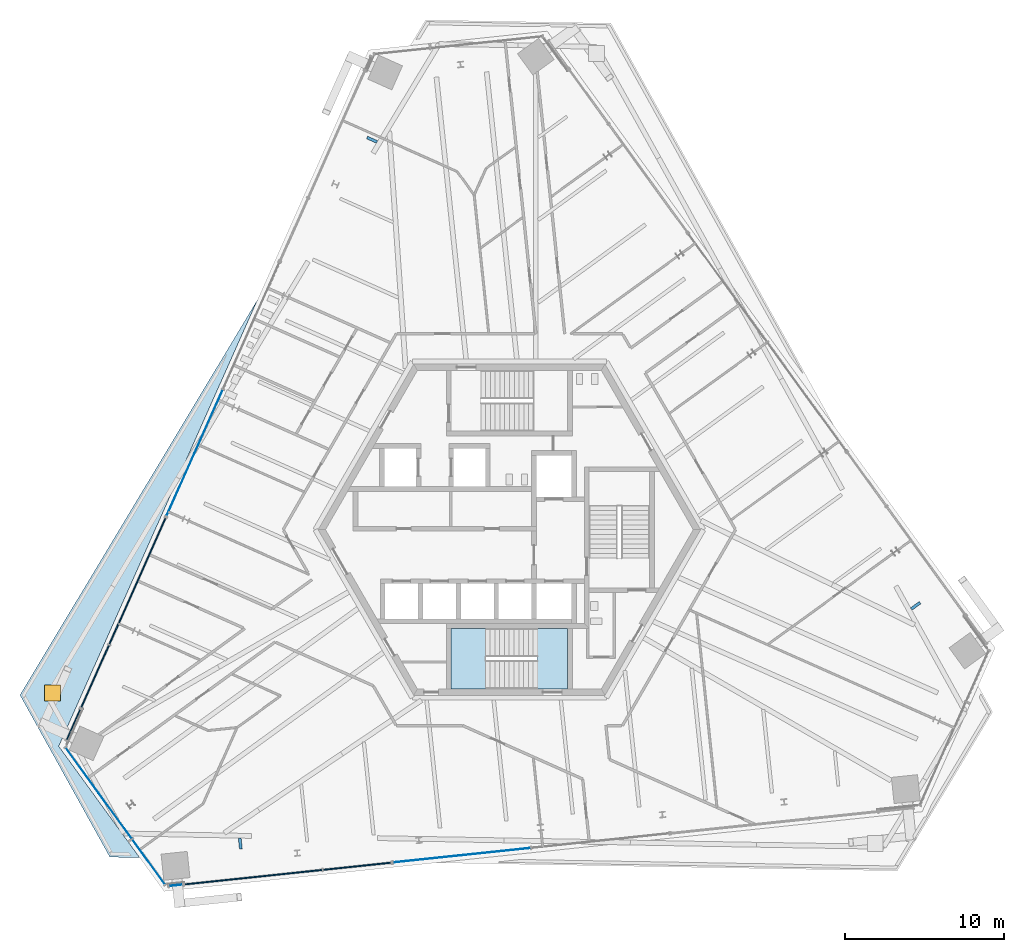
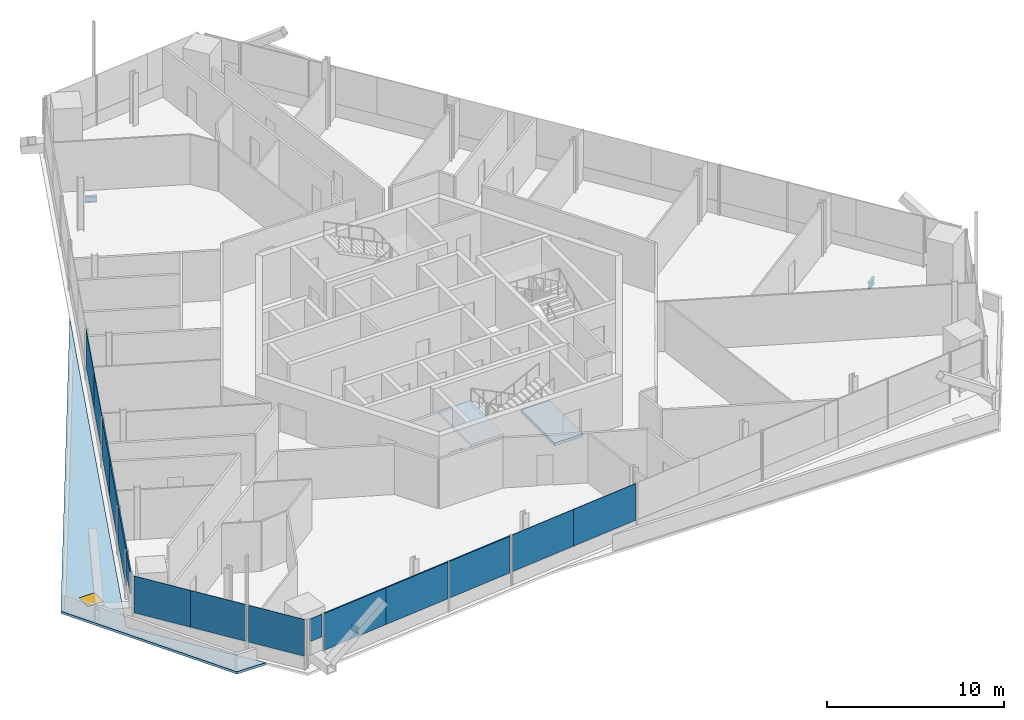
# One storey, part 10 of 21: 15 plates, 3 beams, 3 slabs, 1 door, 1 opening, 8 elements without a shape of their own.
"""IFC4 building model written with IfcOpenShell, lengths in metres."""

from ifc_helpers import new_model, si_unit, direction, frame, origin, origin_2d, place, context, subcontext, project, spatial, polyline, rectangle, i_section, outline, extrude, source, transform, mapped, material, layer, layer_set, material_profile, profile_set, type_object, element, fill, aggregate, save


model = new_model("IFC4")

# Units and contexts
model_context = context("Model", 3, precision=1e-05, world=origin(), true_north=direction((0.0, 1.0)))
body_context = subcontext(model_context, "Body", "Model", "MODEL_VIEW")
ifc_project = project(units=[si_unit("LENGTHUNIT", "METRE"), si_unit("AREAUNIT", "SQUARE_METRE"), si_unit("VOLUMEUNIT", "CUBIC_METRE"), si_unit("PLANEANGLEUNIT", "RADIAN"), si_unit("MASSUNIT", "GRAM", prefix="KILO")], contexts=[model_context])

# Site, building, storey
site_placement = place(None, origin())
site = spatial("IfcSite", under=ifc_project, at=site_placement, CompositionType="ELEMENT")
building_placement = place(site_placement, origin())
building = spatial("IfcBuilding", under=site, at=building_placement, Name="Triune Harvest Tower", CompositionType="ELEMENT")
storey_placement = place(building_placement, frame((0.0, 0.0, 219.699951171875)))
storey = spatial("IfcBuildingStorey", under=building, at=storey_placement, Name="L57", CompositionType="ELEMENT", Elevation=219.699951171875)

# Beams
ifc_material_1 = material(Name="Steel ASTM A992 Gr 50", Category="steel")
ifc_material_profile = material_profile(ifc_material_1, i_section(OverallWidth=0.180908203125, OverallDepth=0.41650390625, WebThickness=0.010986328125, FlangeThickness=0.01806640625, at=origin_2d()), Name="W16x57")
ifc_profile_set = profile_set([ifc_material_profile], Name="Steel ASTM A992 Gr 50")
beam_type = type_object("IfcBeamType", Name="JT-1 Floor joist W16x57", PredefinedType="JOIST", material=ifc_profile_set)
beam_placement = place(storey_placement, frame((25.773681640625, -4.57373046875, -0.3681640625), z_axis=(-0.808966979409, -0.587854085829, 0.0), x_axis=(0.587854085829, -0.808966979409, 0.0)))
element("IfcBeam", 1, at=beam_placement, inside=storey, type_object=beam_type, Name="beam/L57/JT1", PredefinedType="JOIST", context=body_context, shape_type="SweptSolid", body=[
    extrude(i_section(OverallWidth=0.180908203125, OverallDepth=0.41650390625, WebThickness=0.010986328125, FlangeThickness=0.01806640625, at=origin_2d()), origin(), (0.0, 0.0, 1.0), 0.685791015625),
])
shared_shape_1 = source(origin(), body_context, "Body", "SweptSolid", [
    extrude(i_section(OverallWidth=0.180908203125, OverallDepth=0.41650390625, WebThickness=0.010986328125, FlangeThickness=0.01806640625, at=origin_2d()), origin(), (0.0, 0.0, 1.0), 0.683837890625),
])
for number, where, z_axis, x_axis, name in (
    (2, (-8.92578125, 24.607421875, -0.3681640625), (0.913590582128, -0.406635276688, 0.0), (0.406635276688, 0.913590582128, 0.0), "beam/L57/JT13"),
    (3, (-16.84765625, -20.03369140625, -0.3681640625), (-0.104591874359, 0.99451522855, 0.0), (-0.99451522855, -0.104591874359, 0.0), "beam/L57/JT25"),
):
    element("IfcBeam", number, at=place(storey_placement, frame(where, z_axis=z_axis, x_axis=x_axis)), inside=storey, type_object=beam_type, Name=name, PredefinedType="JOIST", context=body_context, shape_type="MappedRepresentation", body=[
        mapped(shared_shape_1, transform((0.0, 0.0, 0.0), scale=1.0)),
    ])

# Slab, opening, door
ifc_material_2 = material(Name="Concrete 40 MPa", Category="concrete")
ifc_layer_1 = layer(ifc_material_2, 0.159912109375)
ifc_layer_set_1 = layer_set([ifc_layer_1], Name="Concrete 40 MPa")
slab_type_1 = type_object("IfcSlabType", Name="WR-1 Wedge roof slab 160", PredefinedType="ROOF", material=ifc_layer_set_1)
slab_1_placement = place(storey_placement, frame((0.0, 0.0, -0.159912109375)))
slab_1 = element("IfcSlab", 4, at=slab_1_placement, inside=storey, type_object=slab_type_1, Name="Wedge roof slab L56 2", PredefinedType="ROOF", context=body_context, shape_type="SweptSolid", body=[
    extrude(outline(polyline([(-25.069091796875, -20.542724609375), (-23.197998046875, -20.575439453125), (-28.27490234375, -13.587646484375), (-15.79638671875, 14.439697265625), (-30.705810546875, -10.373779296875), (-25.069091796875, -20.542724609375)])), origin(), (0.0, 0.0, 1.0), 0.159912109375),
])
opening_placement = place(slab_1_placement, frame((-28.654296875, -10.25, 0.0)))
opening = element("IfcOpeningElement", 5, at=opening_placement, cuts=slab_1, Name="Opening RH-L56.3", PredefinedType="OPENING", context=body_context, shape_type="SweptSolid", body=[
    extrude(rectangle(XDim=1.0, YDim=1.0, at=origin_2d()), origin(), (0.0, 0.0, 1.0), 0.159912109375),
])
ifc_material_3 = material(Name="Aluminium bronze anodised", Category="aluminium")
door_type = type_object("IfcDoorType", Name="RH-1 roof hatch 1000 x 1000", OperationType="SINGLE_SWING_LEFT", PredefinedType="TRAPDOOR", material=ifc_material_3)
door_placement = place(opening_placement, frame((0.0, 0.0, 0.10986328125)))
door = element("IfcDoor", 6, at=door_placement, inside=storey, type_object=door_type, Name="Roof hatch L56.3", OperationType="SINGLE_SWING_LEFT", OverallHeight=1.0, OverallWidth=1.0, PredefinedType="TRAPDOOR", context=body_context, shape_type="SweptSolid", body=[
    extrude(rectangle(XDim=1.0, YDim=1.0, at=origin_2d()), origin(), (0.0, 0.0, 1.0), 0.050048828125),
])
fill(opening, door)

# Stair, slabs
ifc_material_4 = material(Name="Concrete 40 MPa", Category="concrete")
stair_type = type_object("IfcStairType", Name="Exit stair 1800 half turn", PredefinedType="HALF_TURN_STAIR", material=ifc_material_4)
stair_placement = place(storey_placement, origin())
stair = element("IfcStair", 7, at=stair_placement, inside=storey, type_object=stair_type, Name="Exit stair south", PredefinedType="HALF_TURN_STAIR")
ifc_material_5 = material(Name="Concrete 40 MPa", Category="concrete")
ifc_layer_2 = layer(ifc_material_5, 0.199951171875)
ifc_layer_set_2 = layer_set([ifc_layer_2], Name="Concrete 40 MPa")
slab_type_2 = type_object("IfcSlabType", Name="Stair landing 200", PredefinedType="LANDING", material=ifc_layer_set_2)
shared_shape_2 = source(origin(), body_context, "Body", "SweptSolid", [
    extrude(outline(polyline([(-1.510009765625, -6.18994140625), (-3.64990234375, -6.18994140625), (-3.64990234375, -9.989990234375), (-1.510009765625, -9.989990234375), (-1.510009765625, -6.18994140625)])), origin(), (0.0, 0.0, 1.0), 0.199951171875),
])
slab_2_placement = place(storey_placement, frame((0.0, 0.0, 1.60009765625)))
slab_2 = element("IfcSlab", 8, at=slab_2_placement, type_object=slab_type_2, Name="ST-2 landing 2", PredefinedType="LANDING", context=body_context, shape_type="MappedRepresentation", body=[
    mapped(shared_shape_2, transform((0.0, 0.0, 0.0), scale=1.0)),
])
shared_shape_3 = source(origin(), body_context, "Body", "SweptSolid", [
    extrude(outline(polyline([(3.64990234375, -6.18994140625), (1.780029296875, -6.18994140625), (1.780029296875, -9.989990234375), (3.64990234375, -9.989990234375), (3.64990234375, -6.18994140625)])), origin(), (0.0, 0.0, 1.0), 0.199951171875),
])
slab_3_placement = place(storey_placement, frame((0.0, 0.0, -0.199951171875)))
slab_3 = element("IfcSlab", 9, at=slab_3_placement, type_object=slab_type_2, Name="ST-2 landing 1", PredefinedType="LANDING", context=body_context, shape_type="MappedRepresentation", body=[
    mapped(shared_shape_3, transform((0.0, 0.0, 0.0), scale=1.0)),
])
aggregate(stair, [slab_3, slab_2])

# Curtain wall, plate
ifc_material_6 = material(Name="Aluminium bronze anodised", Category="aluminium")
curtain_wall_type_1 = type_object("IfcCurtainWallType", Name="CW-7 Tower stick curtain wall with insulated spandrel infill", PredefinedType="NOTDEFINED", material=ifc_material_6)
curtain_wall_1_placement = place(storey_placement, origin())
curtain_wall_1 = element("IfcCurtainWall", 10, at=curtain_wall_1_placement, inside=storey, type_object=curtain_wall_type_1, Name="CW-7 B6-F3 L57 run 201")
ifc_material_7 = material(Name="Insulated spandrel panel, bronze aluminium pan", Category="aluminium")
ifc_layer_3 = layer(ifc_material_7, 0.080078125)
ifc_layer_set_3 = layer_set([ifc_layer_3], Name="Insulated spandrel panel, bronze aluminium pan")
plate_type_1 = type_object("IfcPlateType", Name="SP-1 insulated spandrel panel 80", PredefinedType="CURTAIN_PANEL", material=ifc_layer_set_3)
shared_shape_4 = source(origin(), body_context, "Body", "SweptSolid", [
    extrude(rectangle(XDim=2.08154296875, YDim=0.080078125, at=origin_2d()), origin(), (0.0, 0.0, 1.0), 1.554931640625),
])
plate_1_placement = place(storey_placement, frame((-27.347412109375, -12.242919921875, 1.88525390625), z_axis=(0.0, 0.0, 1.0), x_axis=(-0.406720487373, -0.913552650454, 0.0)))
plate_1 = element("IfcPlate", 11, at=plate_1_placement, type_object=plate_type_1, Name="CW-7 panel B6-F3 201.1", PredefinedType="CURTAIN_PANEL", context=body_context, shape_type="MappedRepresentation", body=[
    mapped(shared_shape_4, transform((0.0, 0.0, 0.0), scale=1.0)),
])
aggregate(curtain_wall_1, [plate_1])

# Curtain wall, plates
ifc_material_8 = material(Name="Aluminium bronze anodised", Category="aluminium")
curtain_wall_type_2 = type_object("IfcCurtainWallType", Name="CW-1 Tower stick curtain wall", PredefinedType="NOTDEFINED", material=ifc_material_8)
curtain_wall_2_placement = place(storey_placement, origin())
curtain_wall_2 = element("IfcCurtainWall", 12, at=curtain_wall_2_placement, inside=storey, type_object=curtain_wall_type_2, Name="CW-1 B6-F4 L57 run 1")
ifc_material_9 = material(Name="Glass", Category="glass")
ifc_layer_4 = layer(ifc_material_9, 0.031982421875)
ifc_layer_set_4 = layer_set([ifc_layer_4], Name="Glass")
plate_type_2 = type_object("IfcPlateType", Name="GL-1 panel 32", PredefinedType="CURTAIN_PANEL", material=ifc_layer_set_4)
shared_shape_5 = source(origin(), body_context, "Body", "SweptSolid", [
    extrude(rectangle(XDim=3.500732421875, YDim=0.031982421875, at=origin_2d()), origin(), (0.0, 0.0, 1.0), 2.5400390625),
])
plate_2_placement = place(storey_placement, frame((-26.80419921875, -15.10107421875, 0.900146484375), z_axis=(0.0, 0.0, 1.0), x_axis=(0.587788936013, -0.809014317982, 0.0)))
plate_2 = element("IfcPlate", 13, at=plate_2_placement, type_object=plate_type_2, Name="CW-1 panel B6-F4 1.1", PredefinedType="CURTAIN_PANEL", context=body_context, shape_type="MappedRepresentation", body=[
    mapped(shared_shape_5, transform((0.0, 0.0, 0.0), scale=1.0)),
])
shared_shape_6 = source(origin(), body_context, "Body", "SweptSolid", [
    extrude(rectangle(XDim=3.5380859375, YDim=0.031982421875, at=origin_2d()), origin(), (0.0, 0.0, 1.0), 2.5400390625),
])
plate_3_placement = place(storey_placement, frame((-24.735595703125, -17.9482421875, 0.900146484375), z_axis=(0.0, 0.0, 1.0), x_axis=(0.587788936013, -0.809014317982, 0.0)))
plate_3 = element("IfcPlate", 14, at=plate_3_placement, type_object=plate_type_2, Name="CW-1 panel B6-F4 1.2", PredefinedType="CURTAIN_PANEL", context=body_context, shape_type="MappedRepresentation", body=[
    mapped(shared_shape_6, transform((0.0, 0.0, 0.0), scale=1.0)),
])
shared_shape_7 = source(origin(), body_context, "Body", "SweptSolid", [
    extrude(rectangle(XDim=3.463134765625, YDim=0.031982421875, at=origin_2d()), origin(), (0.0, 0.0, 1.0), 2.5400390625),
])
plate_4_placement = place(storey_placement, frame((-22.6337890625, -20.841064453125, 0.900146484375), z_axis=(0.0, 0.0, 1.0), x_axis=(0.587788936013, -0.809014317982, 0.0)))
plate_4 = element("IfcPlate", 15, at=plate_4_placement, type_object=plate_type_2, Name="CW-1 panel B6-F4 1.3", PredefinedType="CURTAIN_PANEL", context=body_context, shape_type="MappedRepresentation", body=[
    mapped(shared_shape_7, transform((0.0, 0.0, 0.0), scale=1.0)),
])
aggregate(curtain_wall_2, [plate_2, plate_3, plate_4])

# Curtain wall, plate
curtain_wall_3_placement = place(storey_placement, origin())
curtain_wall_3 = element("IfcCurtainWall", 16, at=curtain_wall_3_placement, inside=storey, type_object=curtain_wall_type_2, Name="CW-1 B6-F5 L57 run 1")
shared_shape_8 = source(origin(), body_context, "Body", "SweptSolid", [
    extrude(rectangle(XDim=0.8466796875, YDim=0.031982421875, at=origin_2d()), origin(), (0.0, 0.0, 1.0), 1.554931640625),
])
plate_5_placement = place(storey_placement, frame((-20.933837890625, -22.31396484375, 1.88525390625), z_axis=(0.0, 0.0, 1.0), x_axis=(0.994520834487, 0.10453855639, 0.0)))
plate_5 = element("IfcPlate", 17, at=plate_5_placement, type_object=plate_type_2, Name="CW-1 panel B6-F5 1.1", PredefinedType="CURTAIN_PANEL", context=body_context, shape_type="MappedRepresentation", body=[
    mapped(shared_shape_8, transform((0.0, 0.0, 0.0), scale=1.0)),
])
aggregate(curtain_wall_3, [plate_5])

curtain_wall_4_placement = place(storey_placement, origin())
curtain_wall_4 = element("IfcCurtainWall", 18, at=curtain_wall_4_placement, inside=storey, type_object=curtain_wall_type_1, Name="CW-7 B6-F3 L57 run 2101")
shared_shape_9 = source(origin(), body_context, "Body", "SweptSolid", [
    extrude(rectangle(XDim=4.3095703125, YDim=0.080078125, at=origin_2d()), origin(), (0.0, 0.0, 1.0), 2.5400390625),
])
plate_6_placement = place(storey_placement, frame((-22.450439453125, -1.244140625, 0.900146484375), z_axis=(0.0, 0.0, 1.0), x_axis=(-0.406740070891, -0.913543931473, 0.0)))
plate_6 = element("IfcPlate", 19, at=plate_6_placement, type_object=plate_type_1, Name="CW-7 panel B6-F3 2101.1", PredefinedType="CURTAIN_PANEL", context=body_context, shape_type="MappedRepresentation", body=[
    mapped(shared_shape_9, transform((0.0, 0.0, 0.0), scale=1.0)),
])

curtain_wall_5_placement = place(storey_placement, origin())
curtain_wall_5 = element("IfcCurtainWall", 20, at=curtain_wall_5_placement, inside=storey, type_object=curtain_wall_type_1, Name="CW-7 B6-F5 L57 run 101")
plate_7_placement = place(storey_placement, frame((-18.220703125, -22.02880859375, 0.900146484375), z_axis=(0.0, 0.0, 1.0), x_axis=(0.994522061758, 0.10452688016, 0.0)))
plate_7 = element("IfcPlate", 21, at=plate_7_placement, type_object=plate_type_1, Name="CW-7 panel B6-F5 101.1", PredefinedType="CURTAIN_PANEL", context=body_context, shape_type="MappedRepresentation", body=[
    mapped(shared_shape_9, transform((0.0, 0.0, 0.0), scale=1.0)),
])

# Plate
shared_shape_10 = source(origin(), body_context, "Body", "SweptSolid", [
    extrude(rectangle(XDim=4.346923828125, YDim=0.080078125, at=origin_2d()), origin(), (0.0, 0.0, 1.0), 2.5400390625),
])
plate_8_placement = place(storey_placement, frame((-24.2109375, -5.1982421875, 0.900146484375), z_axis=(0.0, 0.0, 1.0), x_axis=(-0.406740070891, -0.913543931473, 0.0)))
plate_8 = element("IfcPlate", 22, at=plate_8_placement, type_object=plate_type_1, Name="CW-7 panel B6-F3 2101.2", PredefinedType="CURTAIN_PANEL", context=body_context, shape_type="MappedRepresentation", body=[
    mapped(shared_shape_10, transform((0.0, 0.0, 0.0), scale=1.0)),
])

plate_9_placement = place(storey_placement, frame((-13.916259765625, -21.576416015625, 0.900146484375), z_axis=(0.0, 0.0, 1.0), x_axis=(0.994522061758, 0.10452688016, 0.0)))
plate_9 = element("IfcPlate", 23, at=plate_9_placement, type_object=plate_type_1, Name="CW-7 panel B6-F5 101.2", PredefinedType="CURTAIN_PANEL", context=body_context, shape_type="MappedRepresentation", body=[
    mapped(shared_shape_10, transform((0.0, 0.0, 0.0), scale=1.0)),
])

shared_shape_11 = source(origin(), body_context, "Body", "SweptSolid", [
    extrude(rectangle(XDim=4.27197265625, YDim=0.080078125, at=origin_2d()), origin(), (0.0, 0.0, 1.0), 2.5400390625),
])
plate_10_placement = place(storey_placement, frame((-25.994384765625, -9.20361328125, 0.900146484375), z_axis=(0.0, 0.0, 1.0), x_axis=(-0.406740070891, -0.913543931473, 0.0)))
plate_10 = element("IfcPlate", 24, at=plate_10_placement, type_object=plate_type_1, Name="CW-7 panel B6-F3 2101.3", PredefinedType="CURTAIN_PANEL", context=body_context, shape_type="MappedRepresentation", body=[
    mapped(shared_shape_11, transform((0.0, 0.0, 0.0), scale=1.0)),
])

aggregate(curtain_wall_4, [plate_6, plate_8, plate_10])

plate_11_placement = place(storey_placement, frame((-9.5556640625, -21.117919921875, 0.900146484375), z_axis=(0.0, 0.0, 1.0), x_axis=(0.994522061758, 0.10452688016, 0.0)))
plate_11 = element("IfcPlate", 25, at=plate_11_placement, type_object=plate_type_1, Name="CW-7 panel B6-F5 101.3", PredefinedType="CURTAIN_PANEL", context=body_context, shape_type="MappedRepresentation", body=[
    mapped(shared_shape_11, transform((0.0, 0.0, 0.0), scale=1.0)),
])

aggregate(curtain_wall_5, [plate_7, plate_9, plate_11])

# Curtain wall, plate
curtain_wall_6_placement = place(storey_placement, origin())
curtain_wall_6 = element("IfcCurtainWall", 26, at=curtain_wall_6_placement, inside=storey, type_object=curtain_wall_type_2, Name="CW-1 B6-F3 L57 run 1101")
shared_shape_12 = source(origin(), body_context, "Body", "SweptSolid", [
    extrude(rectangle(XDim=4.3095703125, YDim=0.031982421875, at=origin_2d()), origin(), (0.0, 0.0, 1.0), 2.5400390625),
])
plate_12_placement = place(storey_placement, frame((-20.636474609375, 2.829833984375, 0.900146484375), z_axis=(0.0, 0.0, 1.0), x_axis=(-0.406733552352, -0.913546833715, 0.0)))
plate_12 = element("IfcPlate", 27, at=plate_12_placement, type_object=plate_type_2, Name="CW-1 panel B6-F3 1101.4", PredefinedType="CURTAIN_PANEL", context=body_context, shape_type="MappedRepresentation", body=[
    mapped(shared_shape_12, transform((0.0, 0.0, 0.0), scale=1.0)),
])

curtain_wall_7_placement = place(storey_placement, origin())
curtain_wall_7 = element("IfcCurtainWall", 28, at=curtain_wall_7_placement, inside=storey, type_object=curtain_wall_type_2, Name="CW-1 B6-F5 L57 run 1101")
plate_13_placement = place(storey_placement, frame((-5.13916015625, -20.65380859375, 0.900146484375), z_axis=(0.0, 0.0, 1.0), x_axis=(0.994521406703, 0.104533112504, 0.0)))
plate_13 = element("IfcPlate", 29, at=plate_13_placement, type_object=plate_type_2, Name="CW-1 panel B6-F5 1101.1", PredefinedType="CURTAIN_PANEL", context=body_context, shape_type="MappedRepresentation", body=[
    mapped(shared_shape_12, transform((0.0, 0.0, 0.0), scale=1.0)),
])

# Plate
shared_shape_13 = source(origin(), body_context, "Body", "SweptSolid", [
    extrude(rectangle(XDim=4.346923828125, YDim=0.031982421875, at=origin_2d()), origin(), (0.0, 0.0, 1.0), 2.5400390625),
])
plate_14_placement = place(storey_placement, frame((-18.876220703125, 6.783935546875, 0.900146484375), z_axis=(0.0, 0.0, 1.0), x_axis=(-0.406733552352, -0.913546833715, 0.0)))
plate_14 = element("IfcPlate", 30, at=plate_14_placement, type_object=plate_type_2, Name="CW-1 panel B6-F3 1101.3", PredefinedType="CURTAIN_PANEL", context=body_context, shape_type="MappedRepresentation", body=[
    mapped(shared_shape_13, transform((0.0, 0.0, 0.0), scale=1.0)),
])

aggregate(curtain_wall_6, [plate_14, plate_12])

plate_15_placement = place(storey_placement, frame((-0.834716796875, -20.201416015625, 0.900146484375), z_axis=(0.0, 0.0, 1.0), x_axis=(0.994521406703, 0.104533112504, 0.0)))
plate_15 = element("IfcPlate", 31, at=plate_15_placement, type_object=plate_type_2, Name="CW-1 panel B6-F5 1101.2", PredefinedType="CURTAIN_PANEL", context=body_context, shape_type="MappedRepresentation", body=[
    mapped(shared_shape_13, transform((0.0, 0.0, 0.0), scale=1.0)),
])

aggregate(curtain_wall_7, [plate_13, plate_15])

save(model, "model.ifc")
